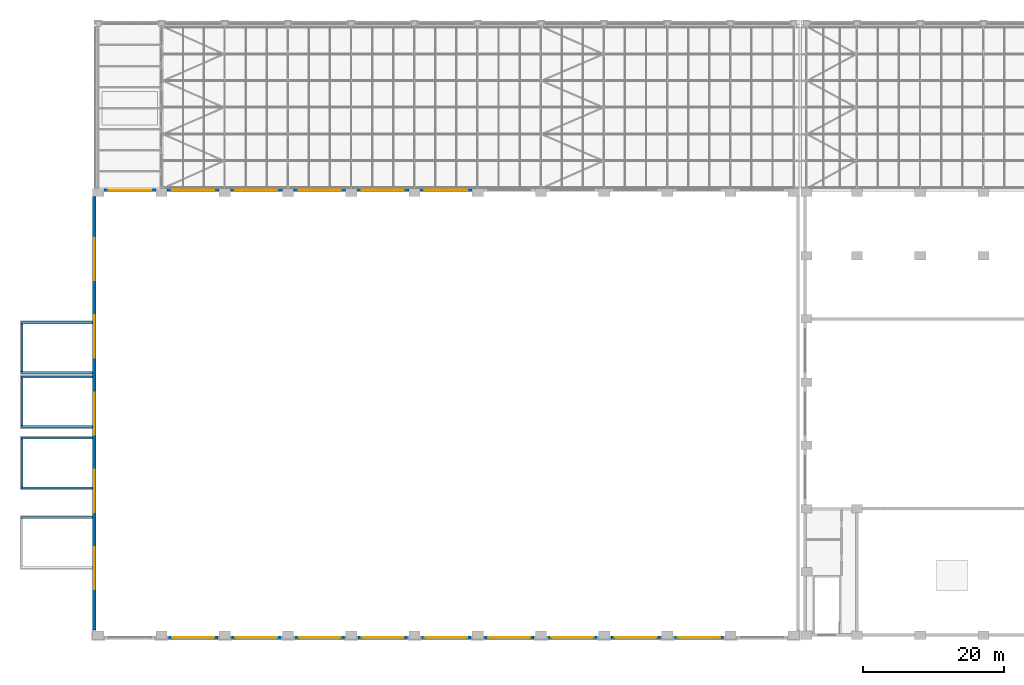
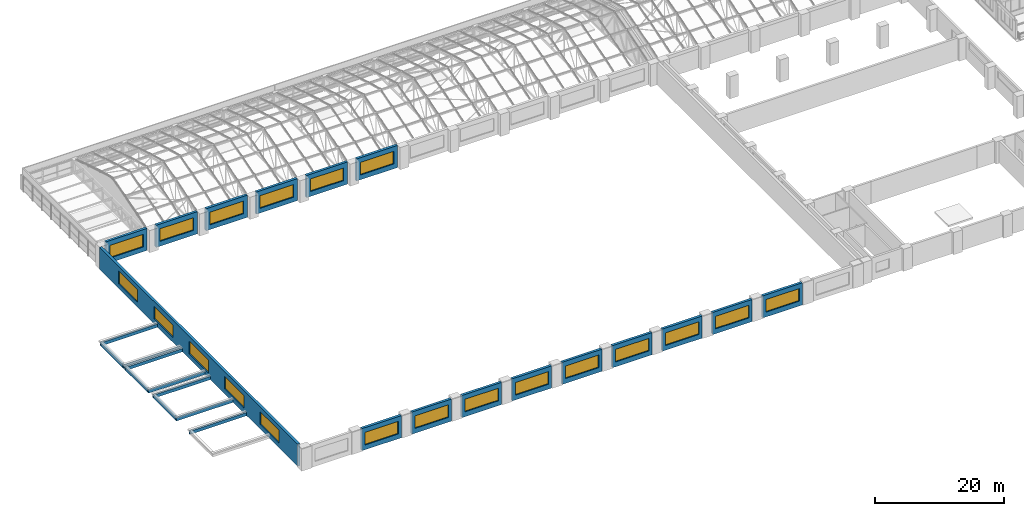
# One storey, part 54 of 82: 26 walls, 20 windows, 20 openings.
"""IFC4 building model written with IfcOpenShell, lengths in metres."""

from ifc_helpers import new_model, si_unit, direction, frame, frame_2d, origin, place, context, subcontext, project, spatial, rectangle, extrude, material, layer, layer_set, type_object, element, fill, save


model = new_model("IFC4")

# Units and contexts
model_context = context("Model", 3, precision=1e-05, world=origin(), true_north=direction((0.0, 1.0)))
body_context = subcontext(model_context, "Body", "Model", "MODEL_VIEW")
ifc_project = project(units=[si_unit("LENGTHUNIT", "METRE"), si_unit("AREAUNIT", "SQUARE_METRE"), si_unit("VOLUMEUNIT", "CUBIC_METRE"), si_unit("PLANEANGLEUNIT", "RADIAN"), si_unit("MASSUNIT", "GRAM", prefix="KILO")], contexts=[model_context])

# Site, building, storey
site_placement = place(None, origin())
site = spatial("IfcSite", under=ifc_project, at=site_placement, CompositionType="ELEMENT")
building_placement = place(site_placement, origin())
building = spatial("IfcBuilding", under=site, at=building_placement, Name="Aravalli Gate Trade Fair Centre", CompositionType="ELEMENT")
storey_placement = place(building_placement, frame((0.0, 0.0, 19.199951171875)))
storey = spatial("IfcBuildingStorey", under=building, at=storey_placement, Name="L04", CompositionType="ELEMENT", Elevation=19.199951171875)

# Walls
ifc_material_1 = material(Name="Terracotta", Category="masonry")
ifc_layer_1 = layer(ifc_material_1, 0.300048828125)
ifc_layer_set_1 = layer_set([ifc_layer_1], Name="Terracotta")
wall_type_1 = type_object("IfcWallType", Name="End tower parapet 300", PredefinedType="PARAPET", material=ifc_layer_set_1)
for number, where, z_axis, x_axis, name in (
    (1, (5.199951171875, 62.75, 0.0), (0.0, 0.0, 1.0), (-1.0, 0.0, 0.0), "End tower W1 parapet b"),
    (2, (5.199951171875, 75.64990234375, 0.0), (0.0, 0.0, 1.0), (-1.0, 0.0, 0.0), "End tower W2 parapet a"),
    (3, (5.199951171875, 82.75, 0.0), (0.0, 0.0, 1.0), (-1.0, 0.0, 0.0), "End tower W2 parapet b"),
):
    element("IfcWall", number, at=place(storey_placement, frame(where, z_axis=z_axis, x_axis=x_axis)), inside=storey, type_object=wall_type_1, Name=name, PredefinedType="PARAPET", context=body_context, shape_type="SweptSolid", body=[
        extrude(rectangle(XDim=10.199951171875, YDim=0.300048828125, at=frame_2d((5.10009765625, 0.0))), origin(), (0.0, 0.0, 1.0), 0.60009765625),
    ])
wall_1_placement = place(storey_placement, frame((-4.85009765625, 75.800048828125, 0.0), z_axis=(0.0, 0.0, 1.0), x_axis=(0.0, 1.0, 0.0)))
element("IfcWall", 4, at=wall_1_placement, inside=storey, type_object=wall_type_1, Name="End tower W2 parapet f", PredefinedType="PARAPET", context=body_context, shape_type="SweptSolid", body=[
    extrude(rectangle(XDim=6.800048828125, YDim=0.300048828125, at=frame_2d((3.39990234375, 0.0))), origin(), (0.0, 0.0, 1.0), 0.60009765625),
])
for number, where, z_axis, x_axis, name in (
    (5, (5.199951171875, 66.949951171875, 0.0), (0.0, 0.0, 1.0), (-1.0, 0.0, 0.0), "End tower W4 parapet a"),
    (6, (5.199951171875, 74.050048828125, 0.0), (0.0, 0.0, 1.0), (-1.0, 0.0, 0.0), "End tower W4 parapet b"),
):
    element("IfcWall", number, at=place(storey_placement, frame(where, z_axis=z_axis, x_axis=x_axis)), inside=storey, type_object=wall_type_1, Name=name, PredefinedType="PARAPET", context=body_context, shape_type="SweptSolid", body=[
        extrude(rectangle(XDim=10.199951171875, YDim=0.300048828125, at=frame_2d((5.10009765625, 0.0))), origin(), (0.0, 0.0, 1.0), 0.60009765625),
    ])
wall_2_placement = place(storey_placement, frame((-4.85009765625, 67.10009765625, 0.0), z_axis=(0.0, 0.0, 1.0), x_axis=(0.0, 1.0, 0.0)))
element("IfcWall", 7, at=wall_2_placement, inside=storey, type_object=wall_type_1, Name="End tower W4 parapet f", PredefinedType="PARAPET", context=body_context, shape_type="SweptSolid", body=[
    extrude(rectangle(XDim=6.7998046875, YDim=0.300048828125, at=frame_2d((3.39990234375, 0.0))), origin(), (0.0, 0.0, 1.0), 0.60009765625),
])
for number, where, z_axis, x_axis, name in (
    (8, (5.199951171875, 83.35009765625, 0.0), (0.0, 0.0, 1.0), (-1.0, 0.0, 0.0), "End tower W5 parapet a"),
    (9, (5.199951171875, 90.449951171875, 0.0), (0.0, 0.0, 1.0), (-1.0, 0.0, 0.0), "End tower W5 parapet b"),
):
    element("IfcWall", number, at=place(storey_placement, frame(where, z_axis=z_axis, x_axis=x_axis)), inside=storey, type_object=wall_type_1, Name=name, PredefinedType="PARAPET", context=body_context, shape_type="SweptSolid", body=[
        extrude(rectangle(XDim=10.199951171875, YDim=0.300048828125, at=frame_2d((5.10009765625, 0.0))), origin(), (0.0, 0.0, 1.0), 0.60009765625),
    ])
wall_3_placement = place(storey_placement, frame((-4.85009765625, 83.5, 0.0), z_axis=(0.0, 0.0, 1.0), x_axis=(0.0, 1.0, 0.0)))
element("IfcWall", 10, at=wall_3_placement, inside=storey, type_object=wall_type_1, Name="End tower W5 parapet f", PredefinedType="PARAPET", context=body_context, shape_type="SweptSolid", body=[
    extrude(rectangle(XDim=6.800048828125, YDim=0.300048828125, at=frame_2d((3.39990234375, 0.0))), origin(), (0.0, 0.0, 1.0), 0.60009765625),
])

# Wall, opening, window
ifc_material_2 = material(Name="Concrete M40", Category="concrete")
ifc_layer_2 = layer(ifc_material_2, 0.25, Name="Structural wall")
ifc_material_3 = material(Name="Ventilated air cavity")
ifc_layer_3 = layer(ifc_material_3, 0.10009765625, ventilated=True, Name="Ventilated cavity")
ifc_material_4 = material(Name="Terracotta rainscreen", Category="masonry")
ifc_layer_4 = layer(ifc_material_4, 0.10009765625, Name="Rainscreen cladding")
ifc_layer_set_2 = layer_set([ifc_layer_2, ifc_layer_3, ifc_layer_4], Name="Hall external wall 450")
wall_type_2 = type_object("IfcWallType", Name="Hall external wall 450", PredefinedType="SOLIDWALL", material=ifc_layer_set_2)
wall_4_placement = place(storey_placement, frame((6.800048828125, 109.375, 0.0), z_axis=(0.0, 0.0, 1.0), x_axis=(1.0, 0.0, 0.0)))
wall_4 = element("IfcWall", 11, at=wall_4_placement, inside=storey, type_object=wall_type_2, Name="Hall north wall bay 1 L04", PredefinedType="SOLIDWALL", context=body_context, shape_type="SweptSolid", body=[
    extrude(rectangle(XDim=7.39990234375, YDim=0.449951171875, at=frame_2d((3.699951171875, 0.0))), origin(), (0.0, 0.0, 1.0), 4.199951171875),
])
opening_1_placement = place(wall_4_placement, frame((0.699951171875, 0.0, 0.89990234375)))
opening_1 = element("IfcOpeningElement", 12, at=opening_1_placement, cuts=wall_4, Name="Opening HG1", PredefinedType="OPENING", context=body_context, shape_type="SweptSolid", body=[
    extrude(rectangle(XDim=6.0, YDim=2.39990234375, at=frame_2d((3.0, 1.199951171875))), frame((0.0, 0.23486328125, 0.0), z_axis=(0.0, -1.0, 0.0), x_axis=(1.0, 0.0, 0.0)), (0.0, 0.0, 1.0), 0.469970703125),
])
ifc_material_5 = material(Name="Glass in steel lattice frame", Category="steel")
window_type = type_object("IfcWindowType", Name="Hall clerestory glazing 6000x2400", PartitioningType="TRIPLE_PANEL_VERTICAL", PredefinedType="WINDOW", material=ifc_material_5)
window_1_placement = place(opening_1_placement, origin())
window_1 = element("IfcWindow", 13, at=window_1_placement, inside=storey, type_object=window_type, Name="Hall north clerestory window bay 1 L04", OverallHeight=2.39990234375, OverallWidth=6.0, PartitioningType="TRIPLE_PANEL_VERTICAL", PredefinedType="WINDOW", context=body_context, shape_type="SweptSolid", body=[
    extrude(rectangle(XDim=6.0, YDim=2.39990234375, at=frame_2d((3.0, 1.199951171875))), frame((0.0, 0.030029296875, 0.0), z_axis=(0.0, -1.0, 0.0), x_axis=(1.0, 0.0, 0.0)), (0.0, 0.0, 1.0), 0.06005859375),
])
fill(opening_1, window_1)

wall_5_placement = place(storey_placement, frame((15.949951171875, 45.625, 0.0), z_axis=(0.0, 0.0, 1.0), x_axis=(1.0, 0.0, 0.0)))
wall_5 = element("IfcWall", 14, at=wall_5_placement, inside=storey, type_object=wall_type_2, Name="Hall south wall bay 2 L04", PredefinedType="SOLIDWALL", context=body_context, shape_type="SweptSolid", body=[
    extrude(rectangle(XDim=7.10009765625, YDim=0.449951171875, at=frame_2d((3.550048828125, 0.0))), origin(), (0.0, 0.0, 1.0), 4.199951171875),
])
opening_2_placement = place(wall_5_placement, frame((0.550048828125, 0.0, 0.89990234375)))
opening_2 = element("IfcOpeningElement", 15, at=opening_2_placement, cuts=wall_5, Name="Opening HG1", PredefinedType="OPENING", context=body_context, shape_type="SweptSolid", body=[
    extrude(rectangle(XDim=6.0, YDim=2.39990234375, at=frame_2d((3.0, 1.199951171875))), frame((0.0, 0.23486328125, 0.0), z_axis=(0.0, -1.0, 0.0), x_axis=(1.0, 0.0, 0.0)), (0.0, 0.0, 1.0), 0.469970703125),
])
window_2_placement = place(opening_2_placement, origin())
window_2 = element("IfcWindow", 16, at=window_2_placement, inside=storey, type_object=window_type, Name="Hall south clerestory window bay 2 L04", OverallHeight=2.39990234375, OverallWidth=6.0, PartitioningType="TRIPLE_PANEL_VERTICAL", PredefinedType="WINDOW", context=body_context, shape_type="SweptSolid", body=[
    extrude(rectangle(XDim=6.0, YDim=2.39990234375, at=frame_2d((3.0, 1.199951171875))), frame((0.0, 0.030029296875, 0.0), z_axis=(0.0, -1.0, 0.0), x_axis=(1.0, 0.0, 0.0)), (0.0, 0.0, 1.0), 0.06005859375),
])
fill(opening_2, window_2)

wall_6_placement = place(storey_placement, frame((15.800048828125, 109.375, 0.0), z_axis=(0.0, 0.0, 1.0), x_axis=(1.0, 0.0, 0.0)))
wall_6 = element("IfcWall", 17, at=wall_6_placement, inside=storey, type_object=wall_type_2, Name="Hall north wall bay 2 L04", PredefinedType="SOLIDWALL", context=body_context, shape_type="SweptSolid", body=[
    extrude(rectangle(XDim=7.39990234375, YDim=0.449951171875, at=frame_2d((3.699951171875, 0.0))), origin(), (0.0, 0.0, 1.0), 4.199951171875),
])
opening_3_placement = place(wall_6_placement, frame((0.699951171875, 0.0, 0.89990234375)))
opening_3 = element("IfcOpeningElement", 18, at=opening_3_placement, cuts=wall_6, Name="Opening HG1", PredefinedType="OPENING", context=body_context, shape_type="SweptSolid", body=[
    extrude(rectangle(XDim=6.0, YDim=2.39990234375, at=frame_2d((3.0, 1.199951171875))), frame((0.0, 0.23486328125, 0.0), z_axis=(0.0, -1.0, 0.0), x_axis=(1.0, 0.0, 0.0)), (0.0, 0.0, 1.0), 0.469970703125),
])
window_3_placement = place(opening_3_placement, origin())
window_3 = element("IfcWindow", 19, at=window_3_placement, inside=storey, type_object=window_type, Name="Hall north clerestory window bay 2 L04", OverallHeight=2.39990234375, OverallWidth=6.0, PartitioningType="TRIPLE_PANEL_VERTICAL", PredefinedType="WINDOW", context=body_context, shape_type="SweptSolid", body=[
    extrude(rectangle(XDim=6.0, YDim=2.39990234375, at=frame_2d((3.0, 1.199951171875))), frame((0.0, 0.030029296875, 0.0), z_axis=(0.0, -1.0, 0.0), x_axis=(1.0, 0.0, 0.0)), (0.0, 0.0, 1.0), 0.06005859375),
])
fill(opening_3, window_3)

wall_7_placement = place(storey_placement, frame((24.949951171875, 45.625, 0.0), z_axis=(0.0, 0.0, 1.0), x_axis=(1.0, 0.0, 0.0)))
wall_7 = element("IfcWall", 20, at=wall_7_placement, inside=storey, type_object=wall_type_2, Name="Hall south wall bay 3 L04", PredefinedType="SOLIDWALL", context=body_context, shape_type="SweptSolid", body=[
    extrude(rectangle(XDim=7.10009765625, YDim=0.449951171875, at=frame_2d((3.550048828125, 0.0))), origin(), (0.0, 0.0, 1.0), 4.199951171875),
])
opening_4_placement = place(wall_7_placement, frame((0.550048828125, 0.0, 0.89990234375)))
opening_4 = element("IfcOpeningElement", 21, at=opening_4_placement, cuts=wall_7, Name="Opening HG1", PredefinedType="OPENING", context=body_context, shape_type="SweptSolid", body=[
    extrude(rectangle(XDim=6.0, YDim=2.39990234375, at=frame_2d((3.0, 1.199951171875))), frame((0.0, 0.23486328125, 0.0), z_axis=(0.0, -1.0, 0.0), x_axis=(1.0, 0.0, 0.0)), (0.0, 0.0, 1.0), 0.469970703125),
])
window_4_placement = place(opening_4_placement, origin())
window_4 = element("IfcWindow", 22, at=window_4_placement, inside=storey, type_object=window_type, Name="Hall south clerestory window bay 3 L04", OverallHeight=2.39990234375, OverallWidth=6.0, PartitioningType="TRIPLE_PANEL_VERTICAL", PredefinedType="WINDOW", context=body_context, shape_type="SweptSolid", body=[
    extrude(rectangle(XDim=6.0, YDim=2.39990234375, at=frame_2d((3.0, 1.199951171875))), frame((0.0, 0.030029296875, 0.0), z_axis=(0.0, -1.0, 0.0), x_axis=(1.0, 0.0, 0.0)), (0.0, 0.0, 1.0), 0.06005859375),
])
fill(opening_4, window_4)

wall_8_placement = place(storey_placement, frame((24.800048828125, 109.375, 0.0), z_axis=(0.0, 0.0, 1.0), x_axis=(1.0, 0.0, 0.0)))
wall_8 = element("IfcWall", 23, at=wall_8_placement, inside=storey, type_object=wall_type_2, Name="Hall north wall bay 3 L04", PredefinedType="SOLIDWALL", context=body_context, shape_type="SweptSolid", body=[
    extrude(rectangle(XDim=7.39990234375, YDim=0.449951171875, at=frame_2d((3.699951171875, 0.0))), origin(), (0.0, 0.0, 1.0), 4.199951171875),
])
opening_5_placement = place(wall_8_placement, frame((0.699951171875, 0.0, 0.89990234375)))
opening_5 = element("IfcOpeningElement", 24, at=opening_5_placement, cuts=wall_8, Name="Opening HG1", PredefinedType="OPENING", context=body_context, shape_type="SweptSolid", body=[
    extrude(rectangle(XDim=6.0, YDim=2.39990234375, at=frame_2d((3.0, 1.199951171875))), frame((0.0, 0.23486328125, 0.0), z_axis=(0.0, -1.0, 0.0), x_axis=(1.0, 0.0, 0.0)), (0.0, 0.0, 1.0), 0.469970703125),
])
window_5_placement = place(opening_5_placement, origin())
window_5 = element("IfcWindow", 25, at=window_5_placement, inside=storey, type_object=window_type, Name="Hall north clerestory window bay 3 L04", OverallHeight=2.39990234375, OverallWidth=6.0, PartitioningType="TRIPLE_PANEL_VERTICAL", PredefinedType="WINDOW", context=body_context, shape_type="SweptSolid", body=[
    extrude(rectangle(XDim=6.0, YDim=2.39990234375, at=frame_2d((3.0, 1.199951171875))), frame((0.0, 0.030029296875, 0.0), z_axis=(0.0, -1.0, 0.0), x_axis=(1.0, 0.0, 0.0)), (0.0, 0.0, 1.0), 0.06005859375),
])
fill(opening_5, window_5)

wall_9_placement = place(storey_placement, frame((33.949951171875, 45.625, 0.0), z_axis=(0.0, 0.0, 1.0), x_axis=(1.0, 0.0, 0.0)))
wall_9 = element("IfcWall", 26, at=wall_9_placement, inside=storey, type_object=wall_type_2, Name="Hall south wall bay 4 L04", PredefinedType="SOLIDWALL", context=body_context, shape_type="SweptSolid", body=[
    extrude(rectangle(XDim=7.10009765625, YDim=0.449951171875, at=frame_2d((3.550048828125, 0.0))), origin(), (0.0, 0.0, 1.0), 4.199951171875),
])
opening_6_placement = place(wall_9_placement, frame((0.550048828125, 0.0, 0.89990234375)))
opening_6 = element("IfcOpeningElement", 27, at=opening_6_placement, cuts=wall_9, Name="Opening HG1", PredefinedType="OPENING", context=body_context, shape_type="SweptSolid", body=[
    extrude(rectangle(XDim=6.0, YDim=2.39990234375, at=frame_2d((3.0, 1.199951171875))), frame((0.0, 0.23486328125, 0.0), z_axis=(0.0, -1.0, 0.0), x_axis=(1.0, 0.0, 0.0)), (0.0, 0.0, 1.0), 0.469970703125),
])
window_6_placement = place(opening_6_placement, origin())
window_6 = element("IfcWindow", 28, at=window_6_placement, inside=storey, type_object=window_type, Name="Hall south clerestory window bay 4 L04", OverallHeight=2.39990234375, OverallWidth=6.0, PartitioningType="TRIPLE_PANEL_VERTICAL", PredefinedType="WINDOW", context=body_context, shape_type="SweptSolid", body=[
    extrude(rectangle(XDim=6.0, YDim=2.39990234375, at=frame_2d((3.0, 1.199951171875))), frame((0.0, 0.030029296875, 0.0), z_axis=(0.0, -1.0, 0.0), x_axis=(1.0, 0.0, 0.0)), (0.0, 0.0, 1.0), 0.06005859375),
])
fill(opening_6, window_6)

wall_10_placement = place(storey_placement, frame((33.800048828125, 109.375, 0.0), z_axis=(0.0, 0.0, 1.0), x_axis=(1.0, 0.0, 0.0)))
wall_10 = element("IfcWall", 29, at=wall_10_placement, inside=storey, type_object=wall_type_2, Name="Hall north wall bay 4 L04", PredefinedType="SOLIDWALL", context=body_context, shape_type="SweptSolid", body=[
    extrude(rectangle(XDim=7.39990234375, YDim=0.449951171875, at=frame_2d((3.699951171875, 0.0))), origin(), (0.0, 0.0, 1.0), 4.199951171875),
])
opening_7_placement = place(wall_10_placement, frame((0.699951171875, 0.0, 0.89990234375)))
opening_7 = element("IfcOpeningElement", 30, at=opening_7_placement, cuts=wall_10, Name="Opening HG1", PredefinedType="OPENING", context=body_context, shape_type="SweptSolid", body=[
    extrude(rectangle(XDim=6.0, YDim=2.39990234375, at=frame_2d((3.0, 1.199951171875))), frame((0.0, 0.23486328125, 0.0), z_axis=(0.0, -1.0, 0.0), x_axis=(1.0, 0.0, 0.0)), (0.0, 0.0, 1.0), 0.469970703125),
])
window_7_placement = place(opening_7_placement, origin())
window_7 = element("IfcWindow", 31, at=window_7_placement, inside=storey, type_object=window_type, Name="Hall north clerestory window bay 4 L04", OverallHeight=2.39990234375, OverallWidth=6.0, PartitioningType="TRIPLE_PANEL_VERTICAL", PredefinedType="WINDOW", context=body_context, shape_type="SweptSolid", body=[
    extrude(rectangle(XDim=6.0, YDim=2.39990234375, at=frame_2d((3.0, 1.199951171875))), frame((0.0, 0.030029296875, 0.0), z_axis=(0.0, -1.0, 0.0), x_axis=(1.0, 0.0, 0.0)), (0.0, 0.0, 1.0), 0.06005859375),
])
fill(opening_7, window_7)

wall_11_placement = place(storey_placement, frame((42.949951171875, 45.625, 0.0), z_axis=(0.0, 0.0, 1.0), x_axis=(1.0, 0.0, 0.0)))
wall_11 = element("IfcWall", 32, at=wall_11_placement, inside=storey, type_object=wall_type_2, Name="Hall south wall bay 5 L04", PredefinedType="SOLIDWALL", context=body_context, shape_type="SweptSolid", body=[
    extrude(rectangle(XDim=7.10009765625, YDim=0.449951171875, at=frame_2d((3.550048828125, 0.0))), origin(), (0.0, 0.0, 1.0), 4.199951171875),
])
opening_8_placement = place(wall_11_placement, frame((0.550048828125, 0.0, 0.89990234375)))
opening_8 = element("IfcOpeningElement", 33, at=opening_8_placement, cuts=wall_11, Name="Opening HG1", PredefinedType="OPENING", context=body_context, shape_type="SweptSolid", body=[
    extrude(rectangle(XDim=6.0, YDim=2.39990234375, at=frame_2d((3.0, 1.199951171875))), frame((0.0, 0.23486328125, 0.0), z_axis=(0.0, -1.0, 0.0), x_axis=(1.0, 0.0, 0.0)), (0.0, 0.0, 1.0), 0.469970703125),
])
window_8_placement = place(opening_8_placement, origin())
window_8 = element("IfcWindow", 34, at=window_8_placement, inside=storey, type_object=window_type, Name="Hall south clerestory window bay 5 L04", OverallHeight=2.39990234375, OverallWidth=6.0, PartitioningType="TRIPLE_PANEL_VERTICAL", PredefinedType="WINDOW", context=body_context, shape_type="SweptSolid", body=[
    extrude(rectangle(XDim=6.0, YDim=2.39990234375, at=frame_2d((3.0, 1.199951171875))), frame((0.0, 0.030029296875, 0.0), z_axis=(0.0, -1.0, 0.0), x_axis=(1.0, 0.0, 0.0)), (0.0, 0.0, 1.0), 0.06005859375),
])
fill(opening_8, window_8)

wall_12_placement = place(storey_placement, frame((42.800048828125, 109.375, 0.0), z_axis=(0.0, 0.0, 1.0), x_axis=(1.0, 0.0, 0.0)))
wall_12 = element("IfcWall", 35, at=wall_12_placement, inside=storey, type_object=wall_type_2, Name="Hall north wall bay 5 L04", PredefinedType="SOLIDWALL", context=body_context, shape_type="SweptSolid", body=[
    extrude(rectangle(XDim=7.39990234375, YDim=0.449951171875, at=frame_2d((3.699951171875, 0.0))), origin(), (0.0, 0.0, 1.0), 4.199951171875),
])
opening_9_placement = place(wall_12_placement, frame((0.699951171875, 0.0, 0.89990234375)))
opening_9 = element("IfcOpeningElement", 36, at=opening_9_placement, cuts=wall_12, Name="Opening HG1", PredefinedType="OPENING", context=body_context, shape_type="SweptSolid", body=[
    extrude(rectangle(XDim=6.0, YDim=2.39990234375, at=frame_2d((3.0, 1.199951171875))), frame((0.0, 0.23486328125, 0.0), z_axis=(0.0, -1.0, 0.0), x_axis=(1.0, 0.0, 0.0)), (0.0, 0.0, 1.0), 0.469970703125),
])
window_9_placement = place(opening_9_placement, origin())
window_9 = element("IfcWindow", 37, at=window_9_placement, inside=storey, type_object=window_type, Name="Hall north clerestory window bay 5 L04", OverallHeight=2.39990234375, OverallWidth=6.0, PartitioningType="TRIPLE_PANEL_VERTICAL", PredefinedType="WINDOW", context=body_context, shape_type="SweptSolid", body=[
    extrude(rectangle(XDim=6.0, YDim=2.39990234375, at=frame_2d((3.0, 1.199951171875))), frame((0.0, 0.030029296875, 0.0), z_axis=(0.0, -1.0, 0.0), x_axis=(1.0, 0.0, 0.0)), (0.0, 0.0, 1.0), 0.06005859375),
])
fill(opening_9, window_9)

wall_13_placement = place(storey_placement, frame((51.949951171875, 45.625, 0.0), z_axis=(0.0, 0.0, 1.0), x_axis=(1.0, 0.0, 0.0)))
wall_13 = element("IfcWall", 38, at=wall_13_placement, inside=storey, type_object=wall_type_2, Name="Hall south wall bay 6 L04", PredefinedType="SOLIDWALL", context=body_context, shape_type="SweptSolid", body=[
    extrude(rectangle(XDim=7.10009765625, YDim=0.449951171875, at=frame_2d((3.550048828125, 0.0))), origin(), (0.0, 0.0, 1.0), 4.199951171875),
])
opening_10_placement = place(wall_13_placement, frame((0.550048828125, 0.0, 0.89990234375)))
opening_10 = element("IfcOpeningElement", 39, at=opening_10_placement, cuts=wall_13, Name="Opening HG1", PredefinedType="OPENING", context=body_context, shape_type="SweptSolid", body=[
    extrude(rectangle(XDim=6.0, YDim=2.39990234375, at=frame_2d((3.0, 1.199951171875))), frame((0.0, 0.23486328125, 0.0), z_axis=(0.0, -1.0, 0.0), x_axis=(1.0, 0.0, 0.0)), (0.0, 0.0, 1.0), 0.469970703125),
])
window_10_placement = place(opening_10_placement, origin())
window_10 = element("IfcWindow", 40, at=window_10_placement, inside=storey, type_object=window_type, Name="Hall south clerestory window bay 6 L04", OverallHeight=2.39990234375, OverallWidth=6.0, PartitioningType="TRIPLE_PANEL_VERTICAL", PredefinedType="WINDOW", context=body_context, shape_type="SweptSolid", body=[
    extrude(rectangle(XDim=6.0, YDim=2.39990234375, at=frame_2d((3.0, 1.199951171875))), frame((0.0, 0.030029296875, 0.0), z_axis=(0.0, -1.0, 0.0), x_axis=(1.0, 0.0, 0.0)), (0.0, 0.0, 1.0), 0.06005859375),
])
fill(opening_10, window_10)

wall_14_placement = place(storey_placement, frame((51.800048828125, 109.375, 0.0), z_axis=(0.0, 0.0, 1.0), x_axis=(1.0, 0.0, 0.0)))
wall_14 = element("IfcWall", 41, at=wall_14_placement, inside=storey, type_object=wall_type_2, Name="Hall north wall bay 6 L04", PredefinedType="SOLIDWALL", context=body_context, shape_type="SweptSolid", body=[
    extrude(rectangle(XDim=7.39990234375, YDim=0.449951171875, at=frame_2d((3.699951171875, 0.0))), origin(), (0.0, 0.0, 1.0), 4.199951171875),
])
opening_11_placement = place(wall_14_placement, frame((0.699951171875, 0.0, 0.89990234375)))
opening_11 = element("IfcOpeningElement", 42, at=opening_11_placement, cuts=wall_14, Name="Opening HG1", PredefinedType="OPENING", context=body_context, shape_type="SweptSolid", body=[
    extrude(rectangle(XDim=6.0, YDim=2.39990234375, at=frame_2d((3.0, 1.199951171875))), frame((0.0, 0.23486328125, 0.0), z_axis=(0.0, -1.0, 0.0), x_axis=(1.0, 0.0, 0.0)), (0.0, 0.0, 1.0), 0.469970703125),
])
window_11_placement = place(opening_11_placement, origin())
window_11 = element("IfcWindow", 43, at=window_11_placement, inside=storey, type_object=window_type, Name="Hall north clerestory window bay 6 L04", OverallHeight=2.39990234375, OverallWidth=6.0, PartitioningType="TRIPLE_PANEL_VERTICAL", PredefinedType="WINDOW", context=body_context, shape_type="SweptSolid", body=[
    extrude(rectangle(XDim=6.0, YDim=2.39990234375, at=frame_2d((3.0, 1.199951171875))), frame((0.0, 0.030029296875, 0.0), z_axis=(0.0, -1.0, 0.0), x_axis=(1.0, 0.0, 0.0)), (0.0, 0.0, 1.0), 0.06005859375),
])
fill(opening_11, window_11)

wall_15_placement = place(storey_placement, frame((60.949951171875, 45.625, 0.0), z_axis=(0.0, 0.0, 1.0), x_axis=(1.0, 0.0, 0.0)))
wall_15 = element("IfcWall", 44, at=wall_15_placement, inside=storey, type_object=wall_type_2, Name="Hall south wall bay 7 L04", PredefinedType="SOLIDWALL", context=body_context, shape_type="SweptSolid", body=[
    extrude(rectangle(XDim=7.10009765625, YDim=0.449951171875, at=frame_2d((3.550048828125, 0.0))), origin(), (0.0, 0.0, 1.0), 4.199951171875),
])
opening_12_placement = place(wall_15_placement, frame((0.550048828125, 0.0, 0.89990234375)))
opening_12 = element("IfcOpeningElement", 45, at=opening_12_placement, cuts=wall_15, Name="Opening HG1", PredefinedType="OPENING", context=body_context, shape_type="SweptSolid", body=[
    extrude(rectangle(XDim=6.0, YDim=2.39990234375, at=frame_2d((3.0, 1.199951171875))), frame((0.0, 0.23486328125, 0.0), z_axis=(0.0, -1.0, 0.0), x_axis=(1.0, 0.0, 0.0)), (0.0, 0.0, 1.0), 0.469970703125),
])
window_12_placement = place(opening_12_placement, origin())
window_12 = element("IfcWindow", 46, at=window_12_placement, inside=storey, type_object=window_type, Name="Hall south clerestory window bay 7 L04", OverallHeight=2.39990234375, OverallWidth=6.0, PartitioningType="TRIPLE_PANEL_VERTICAL", PredefinedType="WINDOW", context=body_context, shape_type="SweptSolid", body=[
    extrude(rectangle(XDim=6.0, YDim=2.39990234375, at=frame_2d((3.0, 1.199951171875))), frame((0.0, 0.030029296875, 0.0), z_axis=(0.0, -1.0, 0.0), x_axis=(1.0, 0.0, 0.0)), (0.0, 0.0, 1.0), 0.06005859375),
])
fill(opening_12, window_12)

wall_16_placement = place(storey_placement, frame((69.949951171875, 45.625, 0.0), z_axis=(0.0, 0.0, 1.0), x_axis=(1.0, 0.0, 0.0)))
wall_16 = element("IfcWall", 47, at=wall_16_placement, inside=storey, type_object=wall_type_2, Name="Hall south wall bay 8 L04", PredefinedType="SOLIDWALL", context=body_context, shape_type="SweptSolid", body=[
    extrude(rectangle(XDim=7.10009765625, YDim=0.449951171875, at=frame_2d((3.550048828125, 0.0))), origin(), (0.0, 0.0, 1.0), 4.199951171875),
])
opening_13_placement = place(wall_16_placement, frame((0.550048828125, 0.0, 0.89990234375)))
opening_13 = element("IfcOpeningElement", 48, at=opening_13_placement, cuts=wall_16, Name="Opening HG1", PredefinedType="OPENING", context=body_context, shape_type="SweptSolid", body=[
    extrude(rectangle(XDim=6.0, YDim=2.39990234375, at=frame_2d((3.0, 1.199951171875))), frame((0.0, 0.23486328125, 0.0), z_axis=(0.0, -1.0, 0.0), x_axis=(1.0, 0.0, 0.0)), (0.0, 0.0, 1.0), 0.469970703125),
])
window_13_placement = place(opening_13_placement, origin())
window_13 = element("IfcWindow", 49, at=window_13_placement, inside=storey, type_object=window_type, Name="Hall south clerestory window bay 8 L04", OverallHeight=2.39990234375, OverallWidth=6.0, PartitioningType="TRIPLE_PANEL_VERTICAL", PredefinedType="WINDOW", context=body_context, shape_type="SweptSolid", body=[
    extrude(rectangle(XDim=6.0, YDim=2.39990234375, at=frame_2d((3.0, 1.199951171875))), frame((0.0, 0.030029296875, 0.0), z_axis=(0.0, -1.0, 0.0), x_axis=(1.0, 0.0, 0.0)), (0.0, 0.0, 1.0), 0.06005859375),
])
fill(opening_13, window_13)

wall_17_placement = place(storey_placement, frame((78.949951171875, 45.625, 0.0), z_axis=(0.0, 0.0, 1.0), x_axis=(1.0, 0.0, 0.0)))
wall_17 = element("IfcWall", 50, at=wall_17_placement, inside=storey, type_object=wall_type_2, Name="Hall south wall bay 9 L04", PredefinedType="SOLIDWALL", context=body_context, shape_type="SweptSolid", body=[
    extrude(rectangle(XDim=7.10009765625, YDim=0.449951171875, at=frame_2d((3.550048828125, 0.0))), origin(), (0.0, 0.0, 1.0), 4.199951171875),
])
opening_14_placement = place(wall_17_placement, frame((0.550048828125, 0.0, 0.89990234375)))
opening_14 = element("IfcOpeningElement", 51, at=opening_14_placement, cuts=wall_17, Name="Opening HG1", PredefinedType="OPENING", context=body_context, shape_type="SweptSolid", body=[
    extrude(rectangle(XDim=6.0, YDim=2.39990234375, at=frame_2d((3.0, 1.199951171875))), frame((0.0, 0.23486328125, 0.0), z_axis=(0.0, -1.0, 0.0), x_axis=(1.0, 0.0, 0.0)), (0.0, 0.0, 1.0), 0.469970703125),
])
window_14_placement = place(opening_14_placement, origin())
window_14 = element("IfcWindow", 52, at=window_14_placement, inside=storey, type_object=window_type, Name="Hall south clerestory window bay 9 L04", OverallHeight=2.39990234375, OverallWidth=6.0, PartitioningType="TRIPLE_PANEL_VERTICAL", PredefinedType="WINDOW", context=body_context, shape_type="SweptSolid", body=[
    extrude(rectangle(XDim=6.0, YDim=2.39990234375, at=frame_2d((3.0, 1.199951171875))), frame((0.0, 0.030029296875, 0.0), z_axis=(0.0, -1.0, 0.0), x_axis=(1.0, 0.0, 0.0)), (0.0, 0.0, 1.0), 0.06005859375),
])
fill(opening_14, window_14)

wall_18_placement = place(storey_placement, frame((87.949951171875, 45.625, 0.0), z_axis=(0.0, 0.0, 1.0), x_axis=(1.0, 0.0, 0.0)))
wall_18 = element("IfcWall", 53, at=wall_18_placement, inside=storey, type_object=wall_type_2, Name="Hall south wall bay 10 L04", PredefinedType="SOLIDWALL", context=body_context, shape_type="SweptSolid", body=[
    extrude(rectangle(XDim=7.10009765625, YDim=0.449951171875, at=frame_2d((3.550048828125, 0.0))), origin(), (0.0, 0.0, 1.0), 4.199951171875),
])
opening_15_placement = place(wall_18_placement, frame((0.550048828125, 0.0, 0.89990234375)))
opening_15 = element("IfcOpeningElement", 54, at=opening_15_placement, cuts=wall_18, Name="Opening HG1", PredefinedType="OPENING", context=body_context, shape_type="SweptSolid", body=[
    extrude(rectangle(XDim=6.0, YDim=2.39990234375, at=frame_2d((3.0, 1.199951171875))), frame((0.0, 0.23486328125, 0.0), z_axis=(0.0, -1.0, 0.0), x_axis=(1.0, 0.0, 0.0)), (0.0, 0.0, 1.0), 0.469970703125),
])
window_15_placement = place(opening_15_placement, origin())
window_15 = element("IfcWindow", 55, at=window_15_placement, inside=storey, type_object=window_type, Name="Hall south clerestory window bay 10 L04", OverallHeight=2.39990234375, OverallWidth=6.0, PartitioningType="TRIPLE_PANEL_VERTICAL", PredefinedType="WINDOW", context=body_context, shape_type="SweptSolid", body=[
    extrude(rectangle(XDim=6.0, YDim=2.39990234375, at=frame_2d((3.0, 1.199951171875))), frame((0.0, 0.030029296875, 0.0), z_axis=(0.0, -1.0, 0.0), x_axis=(1.0, 0.0, 0.0)), (0.0, 0.0, 1.0), 0.06005859375),
])
fill(opening_15, window_15)

# Wall, openings, windows
wall_19_placement = place(storey_placement, frame((5.425048828125, 46.75, 0.0), z_axis=(0.0, 0.0, 1.0), x_axis=(0.0, 1.0, 0.0)))
wall_19 = element("IfcWall", 56, at=wall_19_placement, inside=storey, type_object=wall_type_2, Name="Hall west wall L04", PredefinedType="SOLIDWALL", context=body_context, shape_type="SweptSolid", body=[
    extrude(rectangle(XDim=61.64990234375, YDim=0.449951171875, at=frame_2d((30.824951171875, 0.0))), origin(), (0.0, 0.0, 1.0), 4.199951171875),
])
opening_16_placement = place(wall_19_placement, frame((5.75, 0.0, 0.89990234375)))
opening_16 = element("IfcOpeningElement", 57, at=opening_16_placement, cuts=wall_19, Name="Opening HG1", PredefinedType="OPENING", context=body_context, shape_type="SweptSolid", body=[
    extrude(rectangle(XDim=6.0, YDim=2.39990234375, at=frame_2d((3.0, 1.199951171875))), frame((0.0, 0.23486328125, 0.0), z_axis=(0.0, -1.0, 0.0), x_axis=(1.0, 0.0, 0.0)), (0.0, 0.0, 1.0), 0.469970703125),
])
opening_17_placement = place(wall_19_placement, frame((16.75, 0.0, 0.89990234375)))
opening_17 = element("IfcOpeningElement", 58, at=opening_17_placement, cuts=wall_19, Name="Opening HG1", PredefinedType="OPENING", context=body_context, shape_type="SweptSolid", body=[
    extrude(rectangle(XDim=6.0, YDim=2.39990234375, at=frame_2d((3.0, 1.199951171875))), frame((0.0, 0.23486328125, 0.0), z_axis=(0.0, -1.0, 0.0), x_axis=(1.0, 0.0, 0.0)), (0.0, 0.0, 1.0), 0.469970703125),
])
opening_18_placement = place(wall_19_placement, frame((27.75, 0.0, 0.89990234375)))
opening_18 = element("IfcOpeningElement", 59, at=opening_18_placement, cuts=wall_19, Name="Opening HG1", PredefinedType="OPENING", context=body_context, shape_type="SweptSolid", body=[
    extrude(rectangle(XDim=6.0, YDim=2.39990234375, at=frame_2d((3.0, 1.199951171875))), frame((0.0, 0.23486328125, 0.0), z_axis=(0.0, -1.0, 0.0), x_axis=(1.0, 0.0, 0.0)), (0.0, 0.0, 1.0), 0.469970703125),
])
opening_19_placement = place(wall_19_placement, frame((38.75, 0.0, 0.89990234375)))
opening_19 = element("IfcOpeningElement", 60, at=opening_19_placement, cuts=wall_19, Name="Opening HG1", PredefinedType="OPENING", context=body_context, shape_type="SweptSolid", body=[
    extrude(rectangle(XDim=6.0, YDim=2.39990234375, at=frame_2d((3.0, 1.199951171875))), frame((0.0, 0.23486328125, 0.0), z_axis=(0.0, -1.0, 0.0), x_axis=(1.0, 0.0, 0.0)), (0.0, 0.0, 1.0), 0.469970703125),
])
opening_20_placement = place(wall_19_placement, frame((49.75, 0.0, 0.89990234375)))
opening_20 = element("IfcOpeningElement", 61, at=opening_20_placement, cuts=wall_19, Name="Opening HG1", PredefinedType="OPENING", context=body_context, shape_type="SweptSolid", body=[
    extrude(rectangle(XDim=6.0, YDim=2.39990234375, at=frame_2d((3.0, 1.199951171875))), frame((0.0, 0.23486328125, 0.0), z_axis=(0.0, -1.0, 0.0), x_axis=(1.0, 0.0, 0.0)), (0.0, 0.0, 1.0), 0.469970703125),
])
window_16_placement = place(opening_16_placement, origin())
window_16 = element("IfcWindow", 62, at=window_16_placement, inside=storey, type_object=window_type, Name="Hall west window 1 L04", OverallHeight=2.39990234375, OverallWidth=6.0, PartitioningType="TRIPLE_PANEL_VERTICAL", PredefinedType="WINDOW", context=body_context, shape_type="SweptSolid", body=[
    extrude(rectangle(XDim=6.0, YDim=2.39990234375, at=frame_2d((3.0, 1.199951171875))), frame((0.0, 0.030029296875, 0.0), z_axis=(0.0, -1.0, 0.0), x_axis=(1.0, 0.0, 0.0)), (0.0, 0.0, 1.0), 0.06005859375),
])
fill(opening_16, window_16)
window_17_placement = place(opening_17_placement, origin())
window_17 = element("IfcWindow", 63, at=window_17_placement, inside=storey, type_object=window_type, Name="Hall west window 2 L04", OverallHeight=2.39990234375, OverallWidth=6.0, PartitioningType="TRIPLE_PANEL_VERTICAL", PredefinedType="WINDOW", context=body_context, shape_type="SweptSolid", body=[
    extrude(rectangle(XDim=6.0, YDim=2.39990234375, at=frame_2d((3.0, 1.199951171875))), frame((0.0, 0.030029296875, 0.0), z_axis=(0.0, -1.0, 0.0), x_axis=(1.0, 0.0, 0.0)), (0.0, 0.0, 1.0), 0.06005859375),
])
fill(opening_17, window_17)
window_18_placement = place(opening_18_placement, origin())
window_18 = element("IfcWindow", 64, at=window_18_placement, inside=storey, type_object=window_type, Name="Hall west window 3 L04", OverallHeight=2.39990234375, OverallWidth=6.0, PartitioningType="TRIPLE_PANEL_VERTICAL", PredefinedType="WINDOW", context=body_context, shape_type="SweptSolid", body=[
    extrude(rectangle(XDim=6.0, YDim=2.39990234375, at=frame_2d((3.0, 1.199951171875))), frame((0.0, 0.030029296875, 0.0), z_axis=(0.0, -1.0, 0.0), x_axis=(1.0, 0.0, 0.0)), (0.0, 0.0, 1.0), 0.06005859375),
])
fill(opening_18, window_18)
window_19_placement = place(opening_19_placement, origin())
window_19 = element("IfcWindow", 65, at=window_19_placement, inside=storey, type_object=window_type, Name="Hall west window 4 L04", OverallHeight=2.39990234375, OverallWidth=6.0, PartitioningType="TRIPLE_PANEL_VERTICAL", PredefinedType="WINDOW", context=body_context, shape_type="SweptSolid", body=[
    extrude(rectangle(XDim=6.0, YDim=2.39990234375, at=frame_2d((3.0, 1.199951171875))), frame((0.0, 0.030029296875, 0.0), z_axis=(0.0, -1.0, 0.0), x_axis=(1.0, 0.0, 0.0)), (0.0, 0.0, 1.0), 0.06005859375),
])
fill(opening_19, window_19)
window_20_placement = place(opening_20_placement, origin())
window_20 = element("IfcWindow", 66, at=window_20_placement, inside=storey, type_object=window_type, Name="Hall west window 5 L04", OverallHeight=2.39990234375, OverallWidth=6.0, PartitioningType="TRIPLE_PANEL_VERTICAL", PredefinedType="WINDOW", context=body_context, shape_type="SweptSolid", body=[
    extrude(rectangle(XDim=6.0, YDim=2.39990234375, at=frame_2d((3.0, 1.199951171875))), frame((0.0, 0.030029296875, 0.0), z_axis=(0.0, -1.0, 0.0), x_axis=(1.0, 0.0, 0.0)), (0.0, 0.0, 1.0), 0.06005859375),
])
fill(opening_20, window_20)

save(model, "model.ifc")
